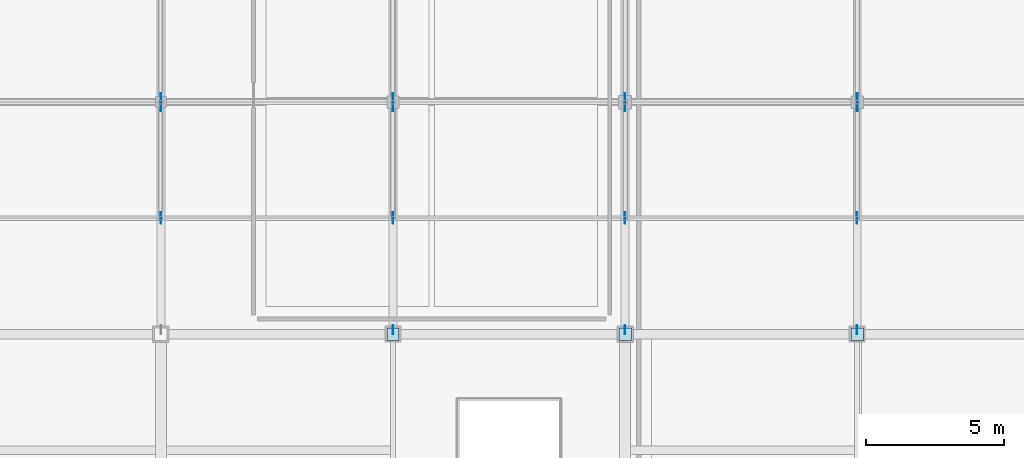
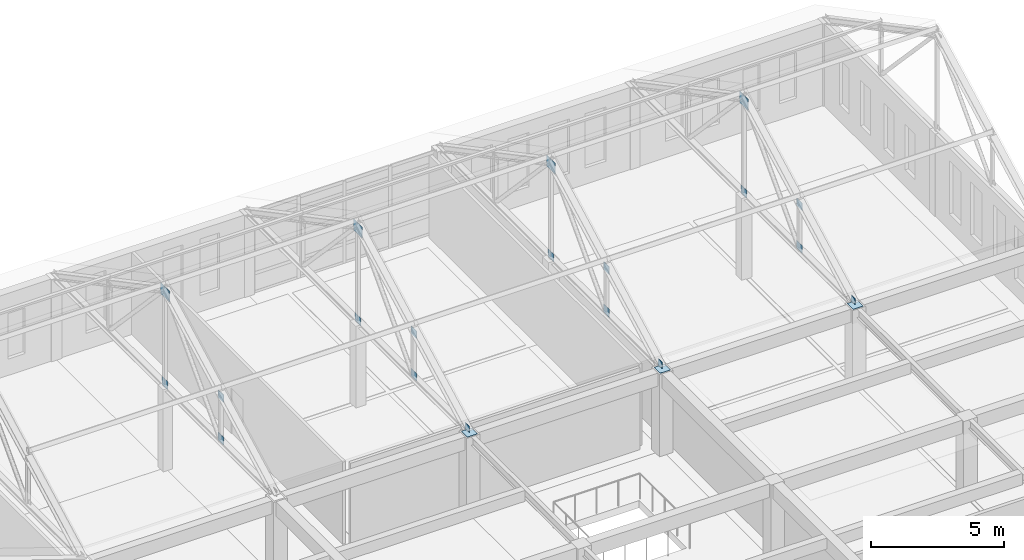
# One storey, part 36 of 56: 22 plates.
"""IFC4 building model written with IfcOpenShell, lengths in metres."""

from ifc_helpers import new_model, si_unit, direction, frame, origin, origin_2d, place, context, subcontext, project, spatial, rectangle, extrude, material, layer, layer_set, type_object, element, save


model = new_model("IFC4")

# Units and contexts
model_context = context("Model", 3, precision=1e-05, world=origin(), true_north=direction((0.0, 1.0)))
body_context = subcontext(model_context, "Body", "Model", "MODEL_VIEW")
ifc_project = project(units=[si_unit("LENGTHUNIT", "METRE"), si_unit("AREAUNIT", "SQUARE_METRE"), si_unit("VOLUMEUNIT", "CUBIC_METRE"), si_unit("PLANEANGLEUNIT", "RADIAN"), si_unit("MASSUNIT", "GRAM", prefix="KILO")], contexts=[model_context])

# Site, building, storey
site_placement = place(None, origin())
site = spatial("IfcSite", under=ifc_project, at=site_placement, CompositionType="ELEMENT")
building_placement = place(site_placement, origin())
building = spatial("IfcBuilding", under=site, at=building_placement, Name="Kveldsbrygga Polytechnic", CompositionType="ELEMENT")
storey_placement = place(building_placement, frame((0.0, 0.0, 18.02001953125)))
storey = spatial("IfcBuildingStorey", under=building, at=storey_placement, Name="L04", CompositionType="ELEMENT", Elevation=18.02001953125)

# Plates
ifc_material = material(Name="Steel S355", Category="steel")
ifc_layer_1 = layer(ifc_material, 0.030029296875)
ifc_layer_set_1 = layer_set([ifc_layer_1], Name="Steel S355")
plate_type_1 = type_object("IfcPlateType", Name="CAP-BEAR-450", PredefinedType="SHEET", material=ifc_layer_set_1)
for number, where, z_axis, x_axis, name in (
    (1, (142.800048828125, 100.800048828125, 3.75), (0.0, 0.0, 1.0), (1.0, 0.0, 0.0), "Truss Bearing Plate V4N5-T03-A"),
    (2, (151.199951171875, 100.800048828125, 3.75), (0.0, 0.0, 1.0), (1.0, 0.0, 0.0), "Truss Bearing Plate V4N5-T04-A"),
    (3, (159.60009765625, 100.800048828125, 3.75), (0.0, 0.0, 1.0), (1.0, 0.0, 0.0), "Truss Bearing Plate V4N5-T05-A"),
):
    element("IfcPlate", number, at=place(storey_placement, frame(where, z_axis=z_axis, x_axis=x_axis)), inside=storey, type_object=plate_type_1, Name=name, PredefinedType="SHEET", context=body_context, shape_type="SweptSolid", body=[
        extrude(rectangle(XDim=0.449951171875, YDim=0.449951171875, at=origin_2d()), origin(), (0.0, 0.0, 1.0), 0.030029296875),
    ])
ifc_layer_2 = layer(ifc_material, 0.02490234375)
ifc_layer_set_2 = layer_set([ifc_layer_2], Name="Steel S355")
plate_type_2 = type_object("IfcPlateType", Name="GUS-APEX-650", PredefinedType="SHEET", material=ifc_layer_set_2)
for number, where, z_axis, x_axis, name in (
    (4, (134.39990234375, 109.199951171875, 7.830078125), (0.0, 0.0, 1.0), (1.0, 0.0, 0.0), "Truss Gusset Plate V4N5-T02-GP-2"),
    (5, (142.800048828125, 109.199951171875, 7.830078125), (0.0, 0.0, 1.0), (1.0, 0.0, 0.0), "Truss Gusset Plate V4N5-T03-GP-2"),
    (6, (151.199951171875, 109.199951171875, 7.830078125), (0.0, 0.0, 1.0), (1.0, 0.0, 0.0), "Truss Gusset Plate V4N5-T04-GP-2"),
    (7, (159.60009765625, 109.199951171875, 7.830078125), (0.0, 0.0, 1.0), (1.0, 0.0, 0.0), "Truss Gusset Plate V4N5-T05-GP-2"),
):
    element("IfcPlate", number, at=place(storey_placement, frame(where, z_axis=z_axis, x_axis=x_axis)), inside=storey, type_object=plate_type_2, Name=name, PredefinedType="SHEET", context=body_context, shape_type="SweptSolid", body=[
        extrude(rectangle(XDim=0.02490234375, YDim=0.64990234375, at=origin_2d()), origin(), (0.0, 0.0, 1.0), 0.5),
    ])
ifc_layer_3 = layer(ifc_material, 0.01806640625)
ifc_layer_set_3 = layer_set([ifc_layer_3], Name="Steel S355")
plate_type_3 = type_object("IfcPlateType", Name="GUS-BRACE-320", PredefinedType="SHEET", material=ifc_layer_set_3)
for number, where, z_axis, x_axis, name in (
    (8, (142.800048828125, 100.9599609375, 3.73974609375), (0.0, 0.0, 1.0), (1.0, 0.0, 0.0), "Truss Eaves Node Gusset V4N5-T03-EGP-A"),
    (9, (151.199951171875, 100.9599609375, 3.73974609375), (0.0, 0.0, 1.0), (1.0, 0.0, 0.0), "Truss Eaves Node Gusset V4N5-T04-EGP-A"),
    (10, (159.60009765625, 100.9599609375, 3.73974609375), (0.0, 0.0, 1.0), (1.0, 0.0, 0.0), "Truss Eaves Node Gusset V4N5-T05-EGP-A"),
):
    element("IfcPlate", number, at=place(storey_placement, frame(where, z_axis=z_axis, x_axis=x_axis)), inside=storey, type_object=plate_type_3, Name=name, PredefinedType="SHEET", context=body_context, shape_type="SweptSolid", body=[
        extrude(rectangle(XDim=0.01806640625, YDim=0.320068359375, at=origin_2d()), origin(), (0.0, 0.0, 1.0), 0.320068359375),
    ])
ifc_layer_4 = layer(ifc_material, 0.02001953125)
ifc_layer_set_4 = layer_set([ifc_layer_4], Name="Steel S355")
plate_type_4 = type_object("IfcPlateType", Name="GUS-LECT-420", PredefinedType="SHEET", material=ifc_layer_set_4)
for number, where, z_axis, x_axis, name in (
    (11, (134.39990234375, 105.0, 5.679931640625), (0.0, 0.0, 1.0), (1.0, 0.0, 0.0), "Truss Gusset Plate V4N5-T02-GP-1"),
    (12, (134.39990234375, 105.0, 3.724853515625), (0.0, 0.0, 1.0), (1.0, 0.0, 0.0), "Truss Bottom-Chord Node Gusset V4N5-T02-BGP-1"),
    (13, (134.39990234375, 109.199951171875, 3.724853515625), (0.0, 0.0, 1.0), (1.0, 0.0, 0.0), "Truss Bottom-Chord Node Gusset V4N5-T02-BGP-2"),
    (14, (142.800048828125, 105.0, 5.679931640625), (0.0, 0.0, 1.0), (1.0, 0.0, 0.0), "Truss Gusset Plate V4N5-T03-GP-1"),
    (15, (142.800048828125, 105.0, 3.724853515625), (0.0, 0.0, 1.0), (1.0, 0.0, 0.0), "Truss Bottom-Chord Node Gusset V4N5-T03-BGP-1"),
    (16, (142.800048828125, 109.199951171875, 3.724853515625), (0.0, 0.0, 1.0), (1.0, 0.0, 0.0), "Truss Bottom-Chord Node Gusset V4N5-T03-BGP-2"),
    (17, (151.199951171875, 105.0, 5.679931640625), (0.0, 0.0, 1.0), (1.0, 0.0, 0.0), "Truss Gusset Plate V4N5-T04-GP-1"),
    (18, (151.199951171875, 105.0, 3.724853515625), (0.0, 0.0, 1.0), (1.0, 0.0, 0.0), "Truss Bottom-Chord Node Gusset V4N5-T04-BGP-1"),
    (19, (151.199951171875, 109.199951171875, 3.724853515625), (0.0, 0.0, 1.0), (1.0, 0.0, 0.0), "Truss Bottom-Chord Node Gusset V4N5-T04-BGP-2"),
    (20, (159.60009765625, 105.0, 5.679931640625), (0.0, 0.0, 1.0), (1.0, 0.0, 0.0), "Truss Gusset Plate V4N5-T05-GP-1"),
    (21, (159.60009765625, 105.0, 3.724853515625), (0.0, 0.0, 1.0), (1.0, 0.0, 0.0), "Truss Bottom-Chord Node Gusset V4N5-T05-BGP-1"),
    (22, (159.60009765625, 109.199951171875, 3.724853515625), (0.0, 0.0, 1.0), (1.0, 0.0, 0.0), "Truss Bottom-Chord Node Gusset V4N5-T05-BGP-2"),
):
    element("IfcPlate", number, at=place(storey_placement, frame(where, z_axis=z_axis, x_axis=x_axis)), inside=storey, type_object=plate_type_4, Name=name, PredefinedType="SHEET", context=body_context, shape_type="SweptSolid", body=[
        extrude(rectangle(XDim=0.02001953125, YDim=0.419921875, at=origin_2d()), origin(), (0.0, 0.0, 1.0), 0.35009765625),
    ])

save(model, "model.ifc")
